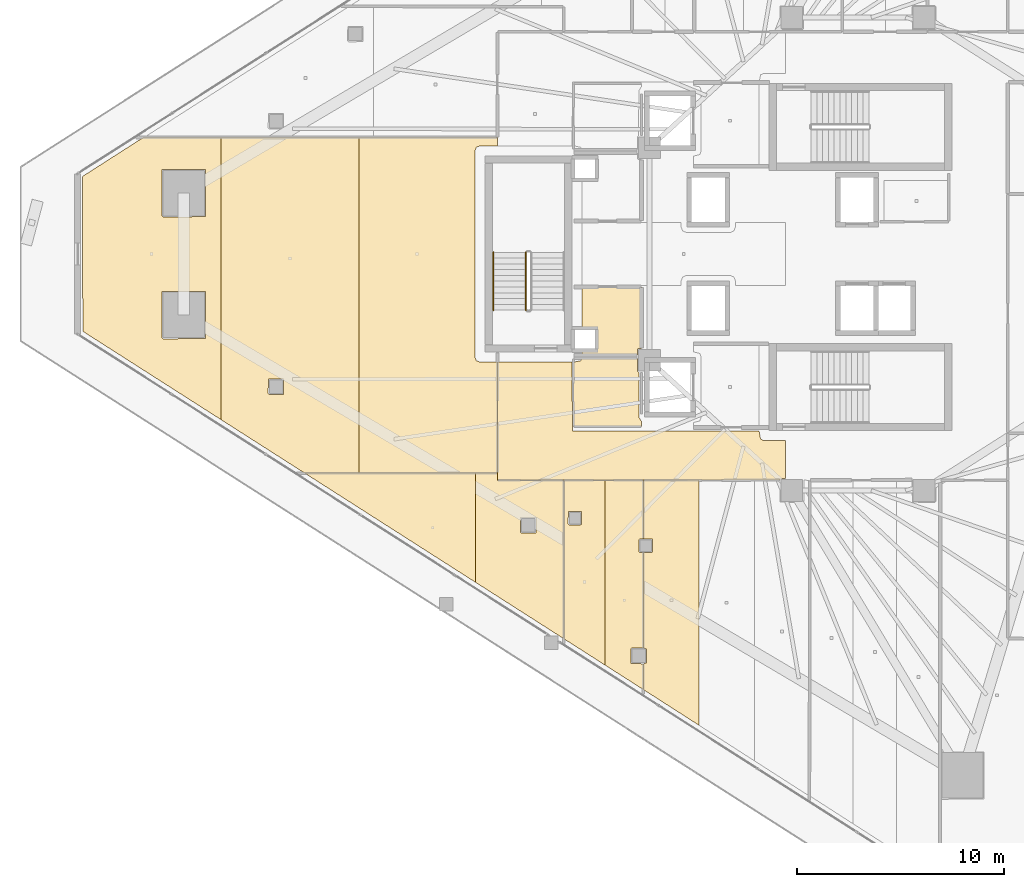
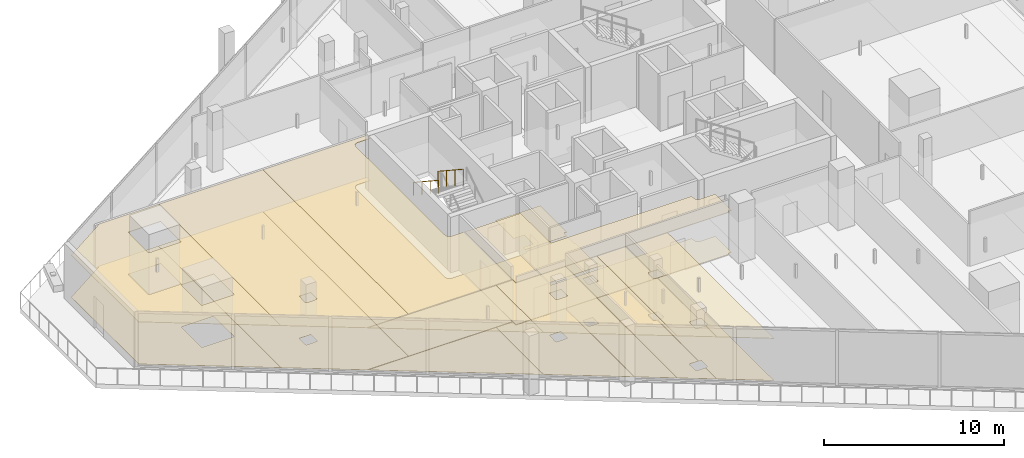
# One storey, part 36 of 44: 20 coverings, 2 railings.
"""IFC4 building model written with IfcOpenShell, lengths in metres."""

from ifc_helpers import new_model, si_unit, direction, frame, origin, origin_2d, place, context, subcontext, project, spatial, polyline, circle, outline, extrude, material, layer, layer_set, type_object, element, save


model = new_model("IFC4")

# Units and contexts
model_context = context("Model", 3, precision=1e-05, world=origin(), true_north=direction((0.0, 1.0)))
body_context = subcontext(model_context, "Body", "Model", "MODEL_VIEW")
ifc_project = project(units=[si_unit("LENGTHUNIT", "METRE"), si_unit("AREAUNIT", "SQUARE_METRE"), si_unit("VOLUMEUNIT", "CUBIC_METRE"), si_unit("PLANEANGLEUNIT", "RADIAN"), si_unit("MASSUNIT", "GRAM", prefix="KILO")], contexts=[model_context])

# Site, building, storey
site_placement = place(None, origin())
site = spatial("IfcSite", under=ifc_project, at=site_placement, CompositionType="ELEMENT")
building_placement = place(site_placement, origin())
building = spatial("IfcBuilding", under=site, at=building_placement, Name="Qorvath Tower", CompositionType="ELEMENT")
storey_placement = place(building_placement, frame((0.0, 0.0, 113.85009765625)))
storey = spatial("IfcBuildingStorey", under=building, at=storey_placement, Name="L25", CompositionType="ELEMENT", Elevation=113.85009765625)

# Coverings
ifc_material_1 = material(Name="Acoustic mineral fibre ceiling tile", Category="gypsum")
ifc_layer_1 = layer(ifc_material_1, 0.030029296875)
ifc_layer_set_1 = layer_set([ifc_layer_1], Name="COV-CEIL")
covering_type_1 = type_object("IfcCoveringType", Name="COV-CEIL", PredefinedType="CEILING", material=ifc_layer_set_1)
covering_1_placement = place(storey_placement, frame((0.0, 0.0, 2.849853515625)))
element("IfcCovering", 1, at=covering_1_placement, inside=storey, type_object=covering_type_1, Name="L25 Suspended Acoustic Ceiling 008", PredefinedType="CEILING", context=body_context, shape_type="SweptSolid", body=[
    extrude(outline(polyline([(-34.22509765625, -8.580078125), (-34.251220703125, -5.239990234375), (-37.844970703125, -5.239990234375), (-37.844970703125, -10.945068359375), (-24.18505859375, -10.945068359375), (-24.125, -10.864990234375), (-23.919677734375, -10.864990234375), (-23.919677734375, -9.0400390625), (-24.93994140625, -9.0400390625), (-25.11669921875, -8.966796875), (-25.18994140625, -8.57421875), (-34.22509765625, -8.580078125)])), origin(), (0.0, 0.0, 1.0), 0.030029296875),
])
covering_2_placement = place(storey_placement, frame((0.0, 0.0, 2.849853515625)))
element("IfcCovering", 2, at=covering_2_placement, inside=storey, type_object=covering_type_1, Name="L25 Suspended Acoustic Ceiling 023", PredefinedType="CEILING", context=body_context, shape_type="SweptSolid", body=[
    extrude(outline(polyline([(-32.64208984375, -19.9111328125), (-32.64208984375, -10.962890625), (-34.64501953125, -10.962890625), (-34.64501953125, -18.631103515625), (-32.64208984375, -19.9111328125)]), holes=[polyline([(-34.439208984375, -13.0673828125), (-34.421630859375, -12.47509765625), (-33.786865234375, -12.47509765625), (-33.786865234375, -13.10986328125), (-34.379150390625, -13.12744140625), (-34.439208984375, -13.0673828125)])]), origin(), (0.0, 0.0, 1.0), 0.030029296875),
])
covering_3_placement = place(storey_placement, frame((0.0, 0.0, 2.849853515625)))
element("IfcCovering", 3, at=covering_3_placement, inside=storey, type_object=covering_type_1, Name="L25 Suspended Acoustic Ceiling 024", PredefinedType="CEILING", context=body_context, shape_type="SweptSolid", body=[
    extrude(outline(polyline([(-31.341064453125, -19.075439453125), (-30.796875, -19.075439453125), (-30.796875, -14.459228515625), (-30.9521484375, -14.459228515625), (-31.01220703125, -14.3994140625), (-31.01220703125, -13.849365234375), (-30.9521484375, -13.789306640625), (-30.796875, -13.789306640625), (-30.796875, -10.962890625), (-32.64208984375, -10.962890625), (-32.64208984375, -19.9111328125), (-30.796875, -21.090576171875), (-30.796875, -19.845458984375), (-31.383544921875, -19.827880859375), (-31.401123046875, -19.135498046875), (-31.341064453125, -19.075439453125)])), origin(), (0.0, 0.0, 1.0), 0.030029296875),
])
covering_4_placement = place(storey_placement, frame((0.0, 0.0, 2.849853515625)))
element("IfcCovering", 4, at=covering_4_placement, inside=storey, type_object=covering_type_1, Name="L25 Suspended Acoustic Ceiling 025", PredefinedType="CEILING", context=body_context, shape_type="SweptSolid", body=[
    extrude(outline(polyline([(-28.0986328125, -22.821044921875), (-28.0986328125, -10.954833984375), (-30.77880859375, -10.962890625), (-30.77880859375, -13.789306640625), (-30.35986328125, -13.806884765625), (-30.34228515625, -14.3994140625), (-30.402099609375, -14.459228515625), (-30.77880859375, -14.459228515625), (-30.77880859375, -19.075439453125), (-30.631103515625, -19.135498046875), (-30.631103515625, -19.785400390625), (-30.77880859375, -19.845458984375), (-30.77880859375, -21.10205078125), (-28.0986328125, -22.821044921875)])), origin(), (0.0, 0.0, 1.0), 0.030029296875),
])
covering_5_placement = place(storey_placement, frame((0.0, 0.0, 2.849853515625)))
element("IfcCovering", 5, at=covering_5_placement, inside=storey, type_object=covering_type_1, Name="L25 Suspended Acoustic Ceiling 043", PredefinedType="CEILING", context=body_context, shape_type="SweptSolid", body=[
    extrude(outline(polyline([(-38.925537109375, -15.89501953125), (-38.925537109375, -10.613525390625), (-47.189453125, -10.613525390625), (-38.925537109375, -15.89501953125)])), origin(), (0.0, 0.0, 1.0), 0.030029296875),
])
covering_6_placement = place(storey_placement, frame((0.0, 0.0, 2.849853515625)))
element("IfcCovering", 6, at=covering_6_placement, inside=storey, type_object=covering_type_1, Name="L25 Suspended Acoustic Ceiling 044", PredefinedType="CEILING", context=body_context, shape_type="SweptSolid", body=[
    extrude(outline(polyline([(-37.863037109375, -10.9580078125), (-37.863037109375, -10.613525390625), (-38.925537109375, -10.613525390625), (-38.925537109375, -15.89501953125), (-34.6630859375, -18.619384765625), (-34.6630859375, -10.962890625), (-37.863037109375, -10.9580078125)]), holes=[polyline([(-36.749755859375, -13.46044921875), (-36.732177734375, -12.76806640625), (-35.997314453125, -12.76806640625), (-35.997314453125, -13.5029296875), (-36.689697265625, -13.5205078125), (-36.749755859375, -13.46044921875)])]), origin(), (0.0, 0.0, 1.0), 0.030029296875),
])
covering_7_placement = place(storey_placement, frame((0.0, 0.0, 2.849853515625)))
element("IfcCovering", 7, at=covering_7_placement, inside=storey, type_object=covering_type_1, Name="L25 Suspended Acoustic Ceiling 045", PredefinedType="CEILING", context=body_context, shape_type="SweptSolid", body=[
    extrude(outline(polyline([(-55.015869140625, 5.635009765625), (-57.953857421875, 3.753173828125), (-57.935302734375, -3.745361328125), (-51.2568359375, -8.013916015625), (-51.2568359375, 5.6357421875), (-55.015869140625, 5.635009765625)]), holes=[polyline([(-54.109375, -4.05078125), (-54.091796875, -1.808349609375), (-52.007080078125, -1.808349609375), (-52.007080078125, -4.09326171875), (-54.04931640625, -4.11083984375), (-54.109375, -4.05078125)]), polyline([(-54.109375, 1.850830078125), (-54.091796875, 4.09326171875), (-52.007080078125, 4.09326171875), (-52.007080078125, 1.808349609375), (-54.04931640625, 1.790771484375), (-54.109375, 1.850830078125)])]), origin(), (0.0, 0.0, 1.0), 0.030029296875),
])
covering_8_placement = place(storey_placement, frame((0.0, 0.0, 2.849853515625)))
element("IfcCovering", 8, at=covering_8_placement, inside=storey, type_object=covering_type_1, Name="L25 Suspended Acoustic Ceiling 046", PredefinedType="CEILING", context=body_context, shape_type="SweptSolid", body=[
    extrude(outline(polyline([(-51.2568359375, 5.6357421875), (-51.2568359375, -8.013916015625), (-47.217529296875, -10.595458984375), (-44.559814453125, -10.595458984375), (-44.559814453125, 5.636962890625), (-51.2568359375, 5.6357421875)]), holes=[polyline([(-48.96337890625, -6.74951171875), (-48.94580078125, -6.05712890625), (-48.2109375, -6.05712890625), (-48.2109375, -6.7919921875), (-48.9033203125, -6.8095703125), (-48.96337890625, -6.74951171875)])]), origin(), (0.0, 0.0, 1.0), 0.030029296875),
])
covering_9_placement = place(storey_placement, frame((0.0, 0.0, 2.849853515625)))
element("IfcCovering", 9, at=covering_9_placement, inside=storey, type_object=covering_type_1, Name="L25 Suspended Acoustic Ceiling 047", PredefinedType="CEILING", context=body_context, shape_type="SweptSolid", body=[
    extrude(outline(polyline([(-44.559814453125, 5.636962890625), (-44.559814453125, -10.595458984375), (-37.863037109375, -10.595458984375), (-37.863037109375, -5.239990234375), (-38.699951171875, -5.239990234375), (-38.876708984375, -5.166748046875), (-38.949951171875, -4.989990234375), (-38.949951171875, 4.989990234375), (-38.876708984375, 5.166748046875), (-38.699951171875, 5.239990234375), (-37.863037109375, 5.239990234375), (-37.863037109375, 5.63818359375), (-44.559814453125, 5.636962890625)])), origin(), (0.0, 0.0, 1.0), 0.030029296875),
])
ifc_material_2 = material(Name="Low-VOC modular carpet tile", Category="textile")
ifc_layer_2 = layer(ifc_material_2, 0.014892578125)
ifc_layer_set_2 = layer_set([ifc_layer_2], Name="COV-FLOOR-CPT")
covering_type_2 = type_object("IfcCoveringType", Name="COV-FLOOR-CPT", PredefinedType="FLOORING", material=ifc_layer_set_2)
covering_10_placement = place(storey_placement, origin())
element("IfcCovering", 10, at=covering_10_placement, inside=storey, type_object=covering_type_2, Name="L25 Floor Finish 007", PredefinedType="FLOORING", context=body_context, shape_type="SweptSolid", body=[
    extrude(outline(polyline([(-30.885009765625, -4.56494140625), (-30.885009765625, -1.60498046875), (-33.760009765625, -1.60498046875), (-33.760009765625, -3.636962890625), (-33.08837890625, -3.638427734375), (-33.0869140625, -4.6279296875), (-33.760009765625, -4.633056640625), (-33.760009765625, -4.89501953125), (-31.0849609375, -4.89501953125), (-31.0849609375, -4.625), (-31.02490234375, -4.56494140625), (-30.885009765625, -4.56494140625)])), origin(), (0.0, 0.0, 1.0), 0.014892578125),
])
covering_11_placement = place(storey_placement, origin())
element("IfcCovering", 11, at=covering_11_placement, inside=storey, type_object=covering_type_2, Name="L25 Floor Finish 023", PredefinedType="FLOORING", context=body_context, shape_type="SweptSolid", body=[
    extrude(outline(polyline([(-32.64208984375, -19.9111328125), (-32.64208984375, -10.962890625), (-34.64501953125, -10.962890625), (-34.64501953125, -18.631103515625), (-32.64208984375, -19.9111328125)]), holes=[polyline([(-34.439208984375, -13.0673828125), (-34.421630859375, -12.47509765625), (-33.786865234375, -12.47509765625), (-33.786865234375, -13.10986328125), (-34.379150390625, -13.12744140625), (-34.439208984375, -13.0673828125)])]), origin(), (0.0, 0.0, 1.0), 0.014892578125),
])
covering_12_placement = place(storey_placement, origin())
element("IfcCovering", 12, at=covering_12_placement, inside=storey, type_object=covering_type_2, Name="L25 Floor Finish 024", PredefinedType="FLOORING", context=body_context, shape_type="SweptSolid", body=[
    extrude(outline(polyline([(-31.341064453125, -19.075439453125), (-30.796875, -19.075439453125), (-30.796875, -14.459228515625), (-30.9521484375, -14.459228515625), (-31.01220703125, -14.3994140625), (-31.01220703125, -13.849365234375), (-30.9521484375, -13.789306640625), (-30.796875, -13.789306640625), (-30.796875, -10.962890625), (-32.64208984375, -10.962890625), (-32.64208984375, -19.9111328125), (-30.796875, -21.090576171875), (-30.796875, -19.845458984375), (-31.383544921875, -19.827880859375), (-31.401123046875, -19.135498046875), (-31.341064453125, -19.075439453125)])), origin(), (0.0, 0.0, 1.0), 0.014892578125),
])
covering_13_placement = place(storey_placement, origin())
element("IfcCovering", 13, at=covering_13_placement, inside=storey, type_object=covering_type_2, Name="L25 Floor Finish 025", PredefinedType="FLOORING", context=body_context, shape_type="SweptSolid", body=[
    extrude(outline(polyline([(-28.0986328125, -22.821044921875), (-28.0986328125, -10.954833984375), (-30.77880859375, -10.962890625), (-30.77880859375, -13.789306640625), (-30.35986328125, -13.806884765625), (-30.34228515625, -14.3994140625), (-30.402099609375, -14.459228515625), (-30.77880859375, -14.459228515625), (-30.77880859375, -19.075439453125), (-30.631103515625, -19.135498046875), (-30.631103515625, -19.785400390625), (-30.77880859375, -19.845458984375), (-30.77880859375, -21.10205078125), (-28.0986328125, -22.821044921875)])), origin(), (0.0, 0.0, 1.0), 0.014892578125),
])
covering_14_placement = place(storey_placement, origin())
element("IfcCovering", 14, at=covering_14_placement, inside=storey, type_object=covering_type_2, Name="L25 Floor Finish 043", PredefinedType="FLOORING", context=body_context, shape_type="SweptSolid", body=[
    extrude(outline(polyline([(-38.925537109375, -15.89501953125), (-38.925537109375, -10.613525390625), (-47.189453125, -10.613525390625), (-38.925537109375, -15.89501953125)])), origin(), (0.0, 0.0, 1.0), 0.014892578125),
])
covering_15_placement = place(storey_placement, origin())
element("IfcCovering", 15, at=covering_15_placement, inside=storey, type_object=covering_type_2, Name="L25 Floor Finish 044", PredefinedType="FLOORING", context=body_context, shape_type="SweptSolid", body=[
    extrude(outline(polyline([(-37.863037109375, -10.9580078125), (-37.863037109375, -10.613525390625), (-38.925537109375, -10.613525390625), (-38.925537109375, -15.89501953125), (-34.6630859375, -18.619384765625), (-34.6630859375, -10.962890625), (-37.863037109375, -10.9580078125)]), holes=[polyline([(-36.749755859375, -13.46044921875), (-36.732177734375, -12.76806640625), (-35.997314453125, -12.76806640625), (-35.997314453125, -13.5029296875), (-36.689697265625, -13.5205078125), (-36.749755859375, -13.46044921875)])]), origin(), (0.0, 0.0, 1.0), 0.014892578125),
])
covering_16_placement = place(storey_placement, origin())
element("IfcCovering", 16, at=covering_16_placement, inside=storey, type_object=covering_type_2, Name="L25 Floor Finish 045", PredefinedType="FLOORING", context=body_context, shape_type="SweptSolid", body=[
    extrude(outline(polyline([(-55.015869140625, 5.635009765625), (-57.953857421875, 3.753173828125), (-57.935302734375, -3.745361328125), (-51.2568359375, -8.013916015625), (-51.2568359375, 5.6357421875), (-55.015869140625, 5.635009765625)]), holes=[polyline([(-54.109375, -4.05078125), (-54.091796875, -1.808349609375), (-52.007080078125, -1.808349609375), (-52.007080078125, -4.09326171875), (-54.04931640625, -4.11083984375), (-54.109375, -4.05078125)]), polyline([(-54.109375, 1.850830078125), (-54.091796875, 4.09326171875), (-52.007080078125, 4.09326171875), (-52.007080078125, 1.808349609375), (-54.04931640625, 1.790771484375), (-54.109375, 1.850830078125)])]), origin(), (0.0, 0.0, 1.0), 0.014892578125),
])
covering_17_placement = place(storey_placement, origin())
element("IfcCovering", 17, at=covering_17_placement, inside=storey, type_object=covering_type_2, Name="L25 Floor Finish 046", PredefinedType="FLOORING", context=body_context, shape_type="SweptSolid", body=[
    extrude(outline(polyline([(-51.2568359375, 5.6357421875), (-51.2568359375, -8.013916015625), (-47.217529296875, -10.595458984375), (-44.559814453125, -10.595458984375), (-44.559814453125, 5.636962890625), (-51.2568359375, 5.6357421875)]), holes=[polyline([(-48.96337890625, -6.74951171875), (-48.94580078125, -6.05712890625), (-48.2109375, -6.05712890625), (-48.2109375, -6.7919921875), (-48.9033203125, -6.8095703125), (-48.96337890625, -6.74951171875)])]), origin(), (0.0, 0.0, 1.0), 0.014892578125),
])
covering_18_placement = place(storey_placement, origin())
element("IfcCovering", 18, at=covering_18_placement, inside=storey, type_object=covering_type_2, Name="L25 Floor Finish 047", PredefinedType="FLOORING", context=body_context, shape_type="SweptSolid", body=[
    extrude(outline(polyline([(-44.559814453125, 5.636962890625), (-44.559814453125, -10.595458984375), (-37.863037109375, -10.595458984375), (-37.863037109375, -5.239990234375), (-38.699951171875, -5.239990234375), (-38.876708984375, -5.166748046875), (-38.949951171875, -4.989990234375), (-38.949951171875, 4.989990234375), (-38.876708984375, 5.166748046875), (-38.699951171875, 5.239990234375), (-37.863037109375, 5.239990234375), (-37.863037109375, 5.63818359375), (-44.559814453125, 5.636962890625)])), origin(), (0.0, 0.0, 1.0), 0.014892578125),
])
ifc_material_3 = material(Name="Polished epoxy terrazzo flooring", Category="concrete")
ifc_layer_3 = layer(ifc_material_3, 0.02001953125)
ifc_layer_set_3 = layer_set([ifc_layer_3], Name="COV-FLOOR-TRZ")
covering_type_3 = type_object("IfcCoveringType", Name="COV-FLOOR-TRZ", PredefinedType="FLOORING", material=ifc_layer_set_3)
covering_19_placement = place(storey_placement, origin())
element("IfcCovering", 19, at=covering_19_placement, inside=storey, type_object=covering_type_3, Name="L25 Floor Finish 006", PredefinedType="FLOORING", context=body_context, shape_type="SweptSolid", body=[
    extrude(outline(polyline([(-31.0849609375, -5.054931640625), (-33.786865234375, -5.054931640625), (-33.833251953125, -5.166748046875), (-34.175048828125, -5.239990234375), (-34.175048828125, -8.344970703125), (-30.885009765625, -8.344970703125), (-30.885009765625, -8.108154296875), (-31.010009765625, -7.909912109375), (-31.010009765625, -5.735107421875), (-31.0849609375, -5.675048828125), (-31.0849609375, -5.054931640625)])), origin(), (0.0, 0.0, 1.0), 0.014892578125),
])
covering_20_placement = place(storey_placement, origin())
element("IfcCovering", 20, at=covering_20_placement, inside=storey, type_object=covering_type_3, Name="L25 Floor Finish 008", PredefinedType="FLOORING", context=body_context, shape_type="SweptSolid", body=[
    extrude(outline(polyline([(-34.22509765625, -8.580078125), (-34.251220703125, -5.239990234375), (-37.844970703125, -5.239990234375), (-37.844970703125, -10.945068359375), (-24.18505859375, -10.945068359375), (-24.125, -10.864990234375), (-23.919677734375, -10.864990234375), (-23.919677734375, -9.0400390625), (-24.93994140625, -9.0400390625), (-25.11669921875, -8.966796875), (-25.18994140625, -8.57421875), (-34.22509765625, -8.580078125)])), origin(), (0.0, 0.0, 1.0), 0.014892578125),
])

# Railings
ifc_material_4 = material(Name="Painted galvanised steel", Category="steel")
railing_type_1 = type_object("IfcRailingType", Name="RL-STR-GRD", PredefinedType="GUARDRAIL", material=ifc_material_4)
railing_1_placement = place(storey_placement, frame((-36.47998046875, 0.080078125, 2.208984375)))
element("IfcRailing", 21, at=railing_1_placement, inside=storey, type_object=railing_type_1, Name="L25 TS3 stair guard 3", PredefinedType="GUARDRAIL", context=body_context, shape_type="SweptSolid", body=[
    extrude(circle(Radius=0.02392578125, at=origin_2d()), frame((0.0, 0.0, 1.076171875), z_axis=(0.0, -0.835597507184, 0.549342157483), x_axis=(1.0, 0.0, 0.0)), (0.0, 0.0, 1.0), 3.35107421875),
    extrude(circle(Radius=0.02099609375, at=origin_2d()), origin(), (0.0, 0.0, 1.0), 1.052001953125),
    extrude(circle(Radius=0.02099609375, at=origin_2d()), frame((0.0, -0.933349609375, 0.613525390625)), (0.0, 0.0, 1.0), 1.052001953125),
    extrude(circle(Radius=0.02099609375, at=origin_2d()), frame((0.0, -1.86669921875, 1.227294921875)), (0.0, 0.0, 1.0), 1.052001953125),
    extrude(circle(Radius=0.02099609375, at=origin_2d()), frame((0.0, -2.800048828125, 1.8408203125)), (0.0, 0.0, 1.0), 1.052001953125),
])
ifc_material_5 = material(Name="Brushed stainless steel AISI 304", Category="steel")
railing_type_2 = type_object("IfcRailingType", Name="RL-STR-HND", PredefinedType="HANDRAIL", material=ifc_material_5)
railing_2_placement = place(storey_placement, frame((-38.06005859375, 0.080078125, 2.208984375)))
element("IfcRailing", 22, at=railing_2_placement, inside=storey, type_object=railing_type_2, Name="L25 TS3 stair handrail 2", PredefinedType="HANDRAIL", context=body_context, shape_type="SweptSolid", body=[
    extrude(circle(Radius=0.02392578125, at=origin_2d()), frame((0.0, 0.0, 0.8759765625), z_axis=(0.0, -0.835597507184, 0.549342157483), x_axis=(1.0, 0.0, 0.0)), (0.0, 0.0, 1.0), 3.35107421875),
    extrude(circle(Radius=0.02099609375, at=origin_2d()), origin(), (0.0, 0.0, 1.0), 0.851806640625),
    extrude(circle(Radius=0.02099609375, at=origin_2d()), frame((0.0, -0.933349609375, 0.613525390625)), (0.0, 0.0, 1.0), 0.851806640625),
    extrude(circle(Radius=0.02099609375, at=origin_2d()), frame((0.0, -1.86669921875, 1.227294921875)), (0.0, 0.0, 1.0), 0.851806640625),
    extrude(circle(Radius=0.02099609375, at=origin_2d()), frame((0.0, -2.800048828125, 1.8408203125)), (0.0, 0.0, 1.0), 0.851806640625),
])

save(model, "model.ifc")
